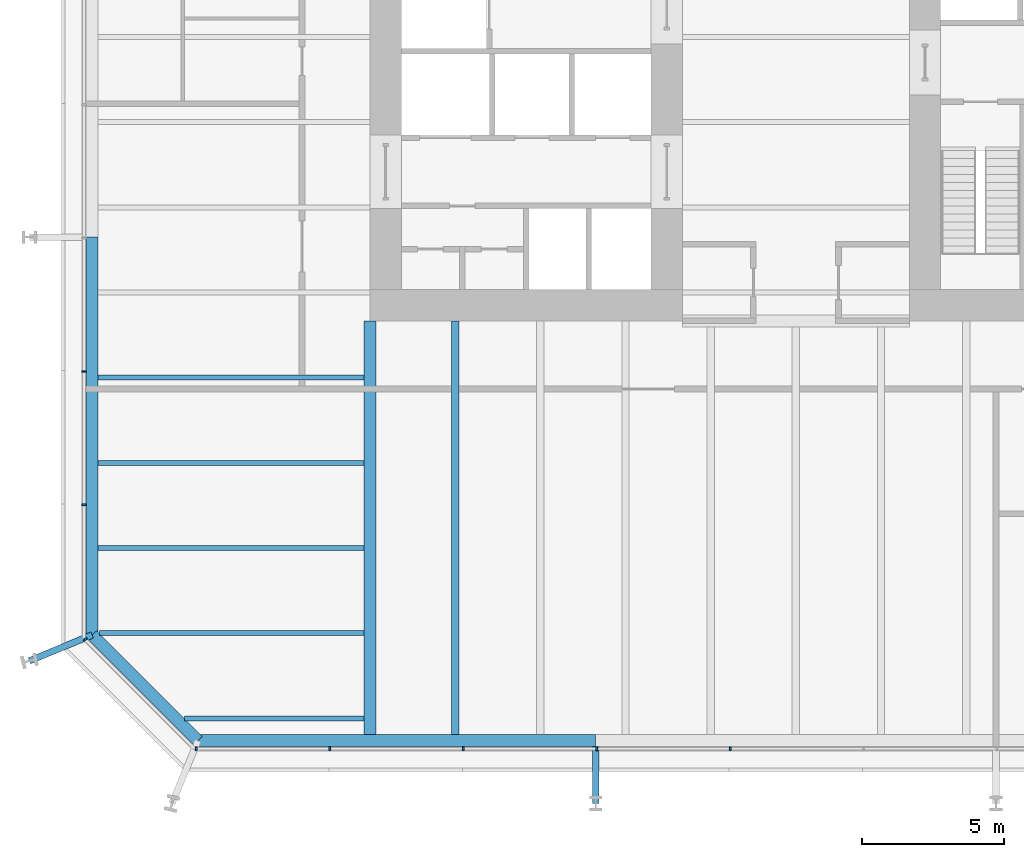
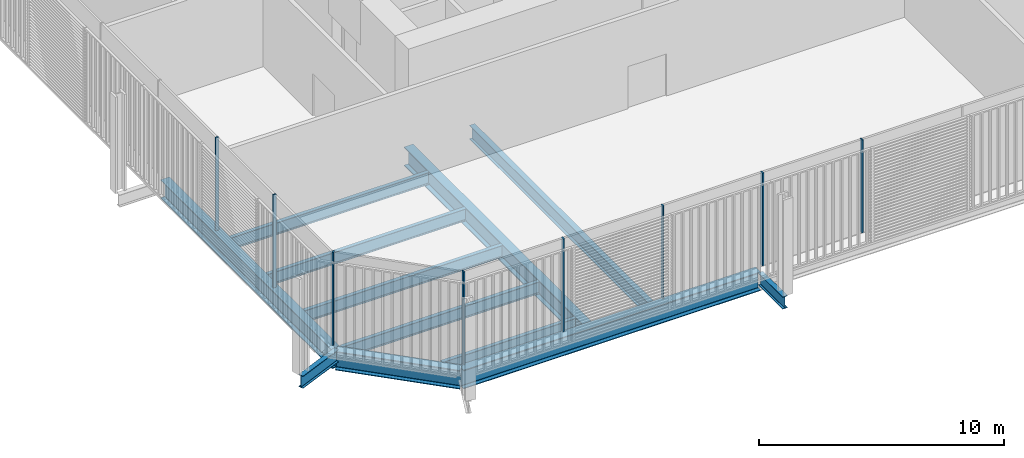
# One storey, part 2 of 22: 12 beams, 8 members, 3 elements without a shape of their own.
"""IFC4 building model written with IfcOpenShell, lengths in metres."""

from ifc_helpers import new_model, si_unit, direction, frame, origin, origin_2d, place, context, subcontext, project, spatial, rectangle, i_section, extrude, material, layer, layer_set, material_profile, profile_set, type_object, element, aggregate, save


model = new_model("IFC4")

# Units and contexts
model_context = context("Model", 3, precision=1e-05, world=origin(), true_north=direction((0.0, 1.0)))
body_context = subcontext(model_context, "Body", "Model", "MODEL_VIEW")
ifc_project = project(units=[si_unit("LENGTHUNIT", "METRE"), si_unit("AREAUNIT", "SQUARE_METRE"), si_unit("VOLUMEUNIT", "CUBIC_METRE"), si_unit("PLANEANGLEUNIT", "RADIAN"), si_unit("MASSUNIT", "GRAM", prefix="KILO")], contexts=[model_context])

# Site, building, storey
site_placement = place(None, origin())
site = spatial("IfcSite", under=ifc_project, at=site_placement, CompositionType="ELEMENT")
building_placement = place(site_placement, origin())
building = spatial("IfcBuilding", under=site, at=building_placement, Name="Millrace Tower", CompositionType="ELEMENT")
storey_placement = place(building_placement, frame((0.0, 0.0, 49.699951171875)))
storey = spatial("IfcBuildingStorey", under=building, at=storey_placement, Name="L11", CompositionType="ELEMENT", Elevation=49.699951171875)

# Curtain wall, member
ifc_material_1 = material(Name="Aluminium and glass", Category="aluminium")
ifc_layer = layer(ifc_material_1, 0.14990234375)
ifc_layer_set = layer_set([ifc_layer], Name="Aluminium and glass")
curtain_wall_type = type_object("IfcCurtainWallType", Name="CW-2 data hall insulated curtain wall", PredefinedType="NOTDEFINED", material=ifc_layer_set)
placement = place(storey_placement, origin())
curtain_wall_1 = element("IfcCurtainWall", 1, at=placement, inside=storey, type_object=curtain_wall_type, Name="Curtain wall A-F01 L11", PredefinedType="NOTDEFINED")
ifc_material_2 = material(Name="Aluminium", Category="aluminium")
ifc_material_profile_1 = material_profile(ifc_material_2, rectangle(XDim=0.06494140625, YDim=0.14990234375, at=origin_2d()))
ifc_profile_set_1 = profile_set([ifc_material_profile_1], Name="Aluminium")
member_type = type_object("IfcMemberType", Name="CW-2 data hall insulated curtain wall mullion", PredefinedType="MULLION", material=ifc_profile_set_1)
member_1_placement = place(storey_placement, frame((-25.030029296875, -21.22607421875, 0.16015625), z_axis=(0.0, 0.0, 1.0), x_axis=(0.707106781187, -0.707106781187, 0.0)))
member_1 = element("IfcMember", 2, at=member_1_placement, type_object=member_type, Name="CW2 mullion A-F01.1", PredefinedType="MULLION", context=body_context, shape_type="SweptSolid", body=[
    extrude(rectangle(XDim=0.06494140625, YDim=0.14990234375, at=origin_2d()), origin(), (0.0, 0.0, 1.0), 4.639892578125),
])
aggregate(curtain_wall_1, [member_1])

# Curtain wall, members
curtain_wall_2 = element("IfcCurtainWall", 3, at=placement, inside=storey, type_object=curtain_wall_type, Name="Curtain wall A-F02 L11", PredefinedType="NOTDEFINED")
member_2_placement = place(storey_placement, frame((-21.117431640625, -25.074951171875, 0.16015625), z_axis=(0.0, 0.0, 1.0), x_axis=(1.0, 0.0, 0.0)))
member_2 = element("IfcMember", 4, at=member_2_placement, type_object=member_type, Name="CW2 mullion A-F02.1", PredefinedType="MULLION", context=body_context, shape_type="SweptSolid", body=[
    extrude(rectangle(XDim=0.06494140625, YDim=0.14990234375, at=origin_2d()), origin(), (0.0, 0.0, 1.0), 4.639892578125),
])
member_3_placement = place(storey_placement, frame((-16.41748046875, -25.074951171875, 0.16015625), z_axis=(0.0, 0.0, 1.0), x_axis=(1.0, 0.0, 0.0)))
member_3 = element("IfcMember", 5, at=member_3_placement, type_object=member_type, Name="CW2 mullion A-F02.2", PredefinedType="MULLION", context=body_context, shape_type="SweptSolid", body=[
    extrude(rectangle(XDim=0.06494140625, YDim=0.14990234375, at=origin_2d()), origin(), (0.0, 0.0, 1.0), 4.639892578125),
])
member_4_placement = place(storey_placement, frame((-11.717529296875, -25.074951171875, 0.16015625), z_axis=(0.0, 0.0, 1.0), x_axis=(1.0, 0.0, 0.0)))
member_4 = element("IfcMember", 6, at=member_4_placement, type_object=member_type, Name="CW2 mullion A-F02.3", PredefinedType="MULLION", context=body_context, shape_type="SweptSolid", body=[
    extrude(rectangle(XDim=0.06494140625, YDim=0.14990234375, at=origin_2d()), origin(), (0.0, 0.0, 1.0), 4.639892578125),
])
member_5_placement = place(storey_placement, frame((-7.017578125, -25.074951171875, 0.16015625), z_axis=(0.0, 0.0, 1.0), x_axis=(1.0, 0.0, 0.0)))
member_5 = element("IfcMember", 7, at=member_5_placement, type_object=member_type, Name="CW2 mullion A-F02.4", PredefinedType="MULLION", context=body_context, shape_type="SweptSolid", body=[
    extrude(rectangle(XDim=0.06494140625, YDim=0.14990234375, at=origin_2d()), origin(), (0.0, 0.0, 1.0), 4.639892578125),
])
member_6_placement = place(storey_placement, frame((-2.3173828125, -25.074951171875, 0.16015625), z_axis=(0.0, 0.0, 1.0), x_axis=(1.0, 0.0, 0.0)))
member_6 = element("IfcMember", 8, at=member_6_placement, type_object=member_type, Name="CW2 mullion A-F02.5", PredefinedType="MULLION", context=body_context, shape_type="SweptSolid", body=[
    extrude(rectangle(XDim=0.06494140625, YDim=0.14990234375, at=origin_2d()), origin(), (0.0, 0.0, 1.0), 4.639892578125),
])
aggregate(curtain_wall_2, [member_2, member_3, member_4, member_5, member_6])

curtain_wall_3 = element("IfcCurtainWall", 9, at=placement, inside=storey, type_object=curtain_wall_type, Name="Curtain wall A-F08 L11", PredefinedType="NOTDEFINED")
member_7_placement = place(storey_placement, frame((-25.074951171875, -11.782470703125, 0.16015625), z_axis=(0.0, 0.0, 1.0), x_axis=(0.0, -1.0, 0.0)))
member_7 = element("IfcMember", 10, at=member_7_placement, type_object=member_type, Name="CW2 mullion A-F08.8", PredefinedType="MULLION", context=body_context, shape_type="SweptSolid", body=[
    extrude(rectangle(XDim=0.06494140625, YDim=0.14990234375, at=origin_2d()), origin(), (0.0, 0.0, 1.0), 4.639892578125),
])
member_8_placement = place(storey_placement, frame((-25.074951171875, -16.482421875, 0.16015625), z_axis=(0.0, 0.0, 1.0), x_axis=(0.0, -1.0, 0.0)))
member_8 = element("IfcMember", 11, at=member_8_placement, type_object=member_type, Name="CW2 mullion A-F08.9", PredefinedType="MULLION", context=body_context, shape_type="SweptSolid", body=[
    extrude(rectangle(XDim=0.06494140625, YDim=0.14990234375, at=origin_2d()), origin(), (0.0, 0.0, 1.0), 4.639892578125),
])
aggregate(curtain_wall_3, [member_7, member_8])

# Beams
ifc_material_3 = material(Name="Steel ASTM A992 Grade 50", Category="steel")
ifc_material_profile_2 = material_profile(ifc_material_3, i_section(OverallWidth=0.177978515625, OverallDepth=0.599365234375, WebThickness=0.010009765625, FlangeThickness=0.012939453125, FilletRadius=0.012939453125, at=origin_2d()))
ifc_profile_set_2 = profile_set([ifc_material_profile_2], Name="Steel ASTM A992 Grade 50")
beam_type_1 = type_object("IfcBeamType", Name="Floor beam W24x55", PredefinedType="JOIST", material=ifc_profile_set_2)
beam_1_placement = place(storey_placement, frame((-21.52978515625, -24.0, -0.524658203125), z_axis=(1.0, 0.0, 0.0), x_axis=(0.0, 1.0, 0.0)))
element("IfcBeam", 12, at=beam_1_placement, inside=storey, type_object=beam_type_1, Name="BM-A-L11-S1-S001", PredefinedType="JOIST", context=body_context, shape_type="SweptSolid", body=[
    extrude(i_section(OverallWidth=0.177978515625, OverallDepth=0.599365234375, WebThickness=0.010009765625, FlangeThickness=0.012939453125, FilletRadius=0.012939453125, at=origin_2d()), origin(), (0.0, 0.0, 1.0), 6.317626953125),
])
ifc_material_4 = material(Name="Steel ASTM A992 Grade 50", Category="steel")
ifc_material_profile_3 = material_profile(ifc_material_4, i_section(OverallWidth=0.1787109375, OverallDepth=0.60205078125, WebThickness=0.010986328125, FlangeThickness=0.014892578125, FilletRadius=0.0126953125, at=origin_2d()))
ifc_profile_set_3 = profile_set([ifc_material_profile_3], Name="Steel ASTM A992 Grade 50")
beam_type_2 = type_object("IfcBeamType", Name="Floor beam W24x62", PredefinedType="JOIST", material=ifc_profile_set_3)
for number, where, z_axis, x_axis, name in (
    (13, (-24.578369140625, -18.0, -0.52587890625), (1.0, 0.0, 0.0), (0.0, 1.0, 0.0), "BM-A-L11-S1-S005"),
    (14, (-24.578369140625, -15.0, -0.52587890625), (1.0, 0.0, 0.0), (0.0, 1.0, 0.0), "BM-A-L11-S1-S007"),
    (15, (-24.578369140625, -12.0, -0.52587890625), (1.0, 0.0, 0.0), (0.0, 1.0, 0.0), "BM-A-L11-S1-S009"),
):
    element("IfcBeam", number, at=place(storey_placement, frame(where, z_axis=z_axis, x_axis=x_axis)), inside=storey, type_object=beam_type_2, Name=name, PredefinedType="JOIST", context=body_context, shape_type="SweptSolid", body=[
        extrude(i_section(OverallWidth=0.1787109375, OverallDepth=0.60205078125, WebThickness=0.010986328125, FlangeThickness=0.014892578125, FilletRadius=0.0126953125, at=origin_2d()), origin(), (0.0, 0.0, 1.0), 9.3662109375),
    ])
beam_2_placement = place(storey_placement, frame((-24.52978515625, -21.0, -0.52587890625), z_axis=(1.0, 0.0, 0.0), x_axis=(0.0, 1.0, 0.0)))
element("IfcBeam", 16, at=beam_2_placement, inside=storey, type_object=beam_type_2, Name="BM-A-L11-S1-S003", PredefinedType="JOIST", context=body_context, shape_type="SweptSolid", body=[
    extrude(i_section(OverallWidth=0.1787109375, OverallDepth=0.60205078125, WebThickness=0.010986328125, FlangeThickness=0.014892578125, FilletRadius=0.0126953125, at=origin_2d()), origin(), (0.0, 0.0, 1.0), 9.317626953125),
])
ifc_material_5 = material(Name="Steel ASTM A992 Grade 50", Category="steel")
ifc_material_profile_4 = material_profile(ifc_material_5, i_section(OverallWidth=0.256591796875, OverallDepth=0.693359375, WebThickness=0.014404296875, FlangeThickness=0.023681640625, FilletRadius=0.01513671875, at=origin_2d()))
ifc_profile_set_4 = profile_set([ifc_material_profile_4], Name="Steel ASTM A992 Grade 50")
beam_type_3 = type_object("IfcBeamType", Name="Floor beam W27x114", PredefinedType="JOIST", material=ifc_profile_set_4)
beam_3_placement = place(storey_placement, frame((-12.0, -24.578369140625, -0.57177734375), z_axis=(0.0, 1.0, 0.0), x_axis=(-1.0, 0.0, 0.0)))
element("IfcBeam", 17, at=beam_3_placement, inside=storey, type_object=beam_type_3, Name="BM-A-L11-S1-S043", PredefinedType="JOIST", context=body_context, shape_type="SweptSolid", body=[
    extrude(i_section(OverallWidth=0.256591796875, OverallDepth=0.693359375, WebThickness=0.014404296875, FlangeThickness=0.023681640625, FilletRadius=0.01513671875, at=origin_2d()), origin(), (0.0, 0.0, 1.0), 14.578369140625),
])
ifc_material_6 = material(Name="Steel ASTM A992 Grade 50", Category="steel")
ifc_material_profile_5 = material_profile(ifc_material_6, i_section(OverallWidth=0.424072265625, OverallDepth=0.947509765625, WebThickness=0.02392578125, FlangeThickness=0.042724609375, FilletRadius=0.024169921875, at=origin_2d()))
ifc_profile_set_5 = profile_set([ifc_material_profile_5], Name="Steel ASTM A992 Grade 50")
beam_type_4 = type_object("IfcBeamType", Name="Girder medium span W36x302", PredefinedType="BEAM", material=ifc_profile_set_5)
beam_4_placement = place(storey_placement, frame((-15.0, -24.578369140625, -0.69873046875), z_axis=(0.0, 1.0, 0.0), x_axis=(-1.0, 0.0, 0.0)))
element("IfcBeam", 18, at=beam_4_placement, inside=storey, type_object=beam_type_4, Name="BM-A-L11-S1-G061", PredefinedType="BEAM", context=body_context, shape_type="SweptSolid", body=[
    extrude(i_section(OverallWidth=0.424072265625, OverallDepth=0.947509765625, WebThickness=0.02392578125, FlangeThickness=0.042724609375, FilletRadius=0.024169921875, at=origin_2d()), origin(), (0.0, 0.0, 1.0), 14.578369140625),
])
ifc_material_7 = material(Name="Steel ASTM A992 Grade 50", Category="steel")
ifc_material_profile_6 = material_profile(ifc_material_7, i_section(OverallWidth=0.23046875, OverallDepth=0.6171875, WebThickness=0.01318359375, FlangeThickness=0.022216796875, FilletRadius=0.012939453125, at=origin_2d()))
ifc_profile_set_6 = profile_set([ifc_material_profile_6], Name="Steel ASTM A992 Grade 50")
beam_type_5 = type_object("IfcBeamType", Name="Link beam W24x94", PredefinedType="BEAM", material=ifc_profile_set_6)
beam_5_placement = place(storey_placement, frame((-24.7890625, -21.062744140625, -0.533447265625), z_axis=(-0.923883789366, -0.382673155247, 0.0), x_axis=(0.382673155247, -0.923883789366, 0.0)))
element("IfcBeam", 19, at=beam_5_placement, inside=storey, type_object=beam_type_5, Name="LNK-A-L11-S1-01", PredefinedType="BEAM", context=body_context, shape_type="SweptSolid", body=[
    extrude(i_section(OverallWidth=0.23046875, OverallDepth=0.6171875, WebThickness=0.01318359375, FlangeThickness=0.022216796875, FilletRadius=0.012939453125, at=origin_2d()), origin(), (0.0, 0.0, 1.0), 2.39306640625),
])
beam_6_placement = place(storey_placement, frame((-7.050048828125, -25.0, -0.533447265625), z_axis=(0.0, -1.0, 0.0), x_axis=(1.0, 0.0, 0.0)))
element("IfcBeam", 20, at=beam_6_placement, inside=storey, type_object=beam_type_5, Name="LNK-A-L11-S1-15", PredefinedType="BEAM", context=body_context, shape_type="SweptSolid", body=[
    extrude(i_section(OverallWidth=0.23046875, OverallDepth=0.6171875, WebThickness=0.01318359375, FlangeThickness=0.022216796875, FilletRadius=0.012939453125, at=origin_2d()), origin(), (0.0, 0.0, 1.0), 2.0),
])
ifc_material_8 = material(Name="Steel ASTM A992 Grade 50", Category="steel")
ifc_material_profile_7 = material_profile(ifc_material_8, i_section(OverallWidth=0.421630859375, OverallDepth=0.937255859375, WebThickness=0.021240234375, FlangeThickness=0.03662109375, FilletRadius=0.024169921875, at=origin_2d()))
ifc_profile_set_7 = profile_set([ifc_material_profile_7], Name="Steel ASTM A992 Grade 50")
beam_type_6 = type_object("IfcBeamType", Name="Ring beam medium span W36x262", PredefinedType="SPANDREL", material=ifc_profile_set_7)
for number, where, z_axis, x_axis, name in (
    (21, (-24.7890625, -21.062744140625, -0.693603515625), (0.0, 1.0, 0.0), (-1.0, 0.0, 0.0), "RNG-A-L11-S1-01"),
    (22, (-7.050048828125, -24.7890625, -0.693603515625), (-1.0, 0.0, 0.0), (0.0, -1.0, 0.0), "RNG-A-L11-S1-15"),
):
    element("IfcBeam", number, at=place(storey_placement, frame(where, z_axis=z_axis, x_axis=x_axis)), inside=storey, type_object=beam_type_6, Name=name, PredefinedType="SPANDREL", context=body_context, shape_type="SweptSolid", body=[
        extrude(i_section(OverallWidth=0.421630859375, OverallDepth=0.937255859375, WebThickness=0.021240234375, FlangeThickness=0.03662109375, FilletRadius=0.024169921875, at=origin_2d()), origin(), (0.0, 0.0, 1.0), 14.0126953125),
    ])
ifc_material_9 = material(Name="Steel ASTM A992 Grade 50", Category="steel")
ifc_material_profile_8 = material_profile(ifc_material_9, i_section(OverallWidth=0.421630859375, OverallDepth=0.937255859375, WebThickness=0.021240234375, FlangeThickness=0.03662109375, FilletRadius=0.024169921875, at=origin_2d()))
ifc_profile_set_8 = profile_set([ifc_material_profile_8], Name="Steel ASTM A992 Grade 50")
beam_type_7 = type_object("IfcBeamType", Name="Ring beam short span W36x262", PredefinedType="SPANDREL", material=ifc_profile_set_8)
beam_7_placement = place(storey_placement, frame((-21.062744140625, -24.7890625, -0.693603515625), z_axis=(-0.707106781187, 0.707106781187, 0.0), x_axis=(-0.707106781187, -0.707106781187, 0.0)))
element("IfcBeam", 23, at=beam_7_placement, inside=storey, type_object=beam_type_7, Name="RNG-A-L11-S1-16", PredefinedType="SPANDREL", context=body_context, shape_type="SweptSolid", body=[
    extrude(i_section(OverallWidth=0.421630859375, OverallDepth=0.937255859375, WebThickness=0.021240234375, FlangeThickness=0.03662109375, FilletRadius=0.024169921875, at=origin_2d()), origin(), (0.0, 0.0, 1.0), 5.269775390625),
])

save(model, "model.ifc")
